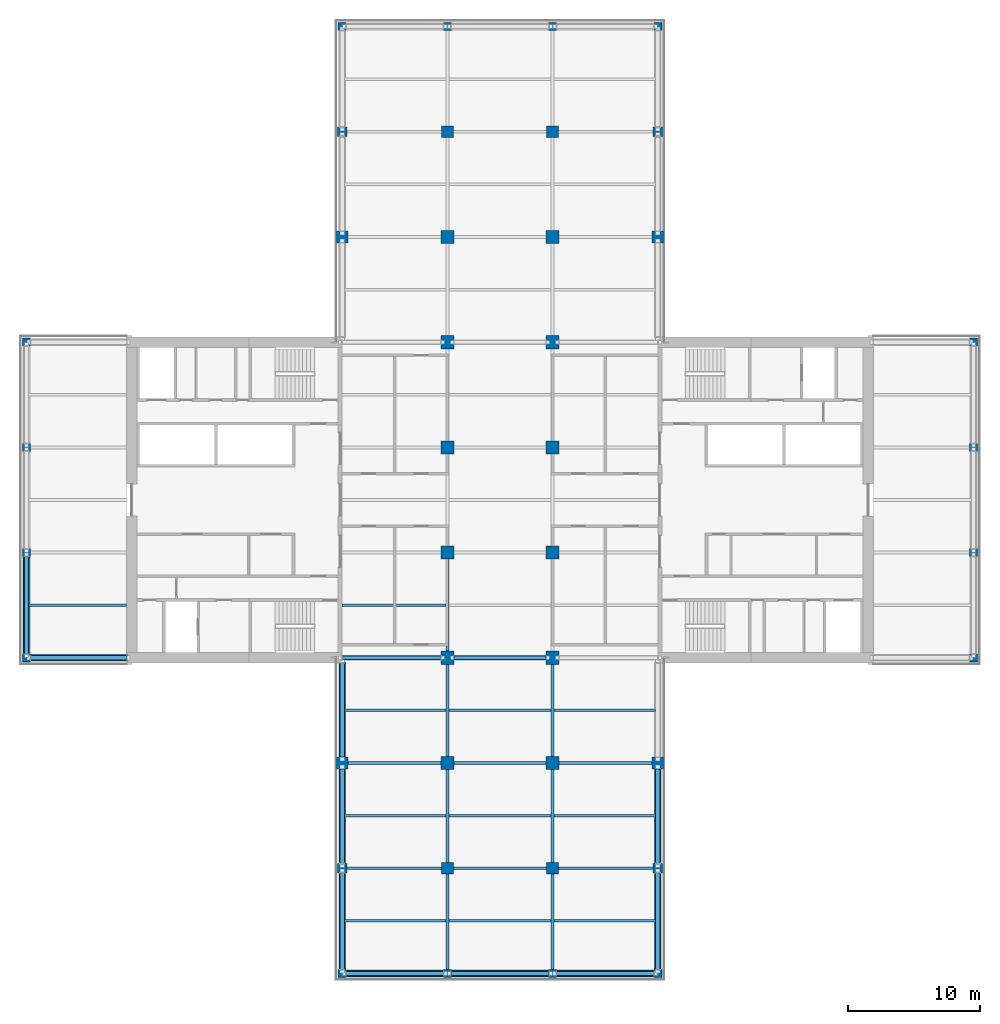
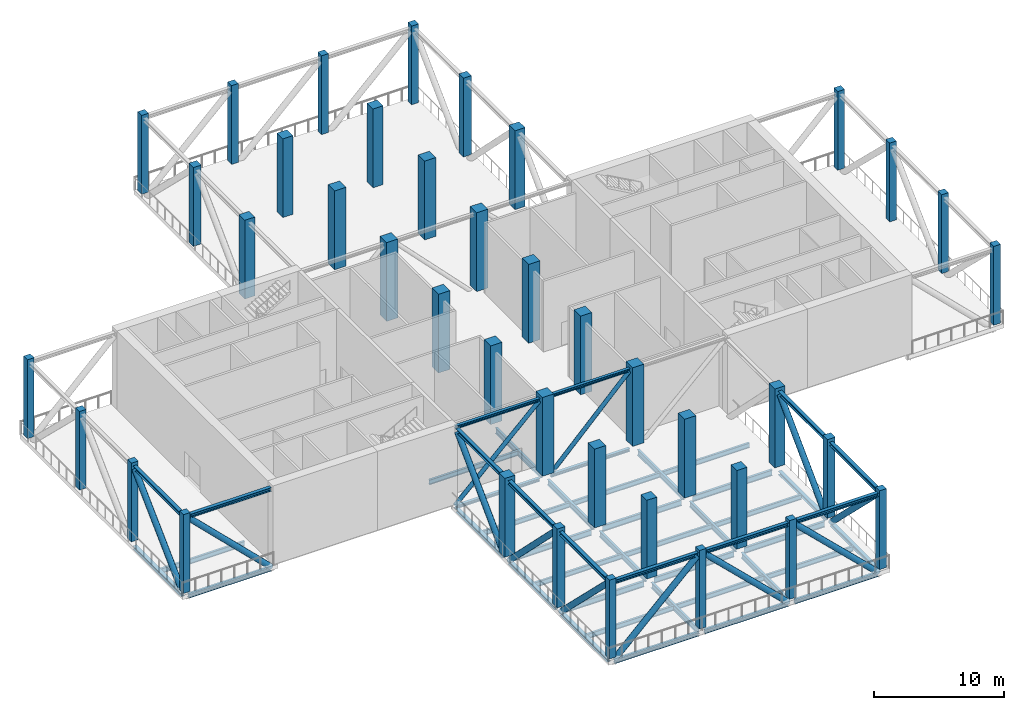
# One storey, part 1 of 18: 40 columns, 36 members, 24 beams.
"""IFC4 building model written with IfcOpenShell, lengths in metres."""

import ifcopenshell
import ifcopenshell.guid

model = None  # the IFC model being written
_history = None  # IfcOwnerHistory: only IFC2X3 demands one
_inside = {}  # id of a spatial element -> (the spatial element, [elements in it])
_under = {}  # id of a project, library or spatial element -> (it, [spatial elements below it])
_declared = {}  # id of a project -> (the project, [libraries it declares])
_typed = {}  # id of a type object -> (the type object, [elements of that type])
_made_of = {}  # id of a material, layer set ... -> (it, [elements and type objects made of it])


def new_model(schema):
    """Start an empty IFC model of exactly this schema.

    Asked for "IFC4X3", IfcOpenShell would pick the latest addendum, in which some entities
    have other attributes; the version numbers below select the first issue.
    IFC2X3 requires an IfcOwnerHistory on every rooted entity: one is made here for all.
    """
    global model, _history
    if schema == "IFC4X3":
        model = ifcopenshell.file(schema_version=(4, 3, 0, 0))
    else:
        model = ifcopenshell.file(schema=schema)
    _inside.clear()
    _under.clear()
    _declared.clear()
    _typed.clear()
    _made_of.clear()
    _history = None
    if model.schema == "IFC2X3":
        org = make("IfcOrganization", Name="unknown")
        user = make(
            "IfcPersonAndOrganization",
            ThePerson=make("IfcPerson", FamilyName="unknown"),
            TheOrganization=org,
        )
        app = make(
            "IfcApplication",
            ApplicationDeveloper=org,
            Version="unknown",
            ApplicationFullName="unknown",
            ApplicationIdentifier="unknown",
        )
        _history = make(
            "IfcOwnerHistory",
            OwningUser=user,
            OwningApplication=app,
            ChangeAction="ADDED",
            CreationDate=0,
        )
    return model


def make(cls, **values):
    """One entity of the class cls with the attributes given. An attribute that is None is left unset."""
    return model.create_entity(
        cls, **{name: value for name, value in values.items() if value is not None}
    )


def rooted(cls, **values):
    """An entity with a GlobalId (a new one), such as an element, a storey or a relation."""
    return make(cls, GlobalId=ifcopenshell.guid.new(), OwnerHistory=_history, **values)


def si_unit(unit_type, name, prefix=None):
    """IfcSIUnit, for example si_unit("LENGTHUNIT", "METRE", prefix="MILLI")."""
    return make("IfcSIUnit", UnitType=unit_type, Prefix=prefix, Name=name)


def assignment(units):
    """IfcUnitAssignment: the units of a project."""
    return None if units is None else make("IfcUnitAssignment", Units=units)


def point(xyz):
    """IfcCartesianPoint."""
    return None if xyz is None else make("IfcCartesianPoint", Coordinates=xyz)


def direction(xyz):
    """IfcDirection."""
    return None if xyz is None else make("IfcDirection", DirectionRatios=xyz)


def frame(location, z_axis=None, x_axis=None):
    """IfcAxis2Placement3D, a coordinate frame: its origin and axes. An axis left out is left unset."""
    return make(
        "IfcAxis2Placement3D",
        Location=point(location),
        Axis=direction(z_axis),
        RefDirection=direction(x_axis),
    )


def frame_2d(location, x_axis=None):
    """IfcAxis2Placement2D, a coordinate frame in the plane: its origin and x axis."""
    return make(
        "IfcAxis2Placement2D", Location=point(location), RefDirection=direction(x_axis)
    )


def origin():
    """The frame at (0, 0, 0) with its axes left unset."""
    return frame((0.0, 0.0, 0.0))


def origin_2d():
    """The frame at (0, 0) in the plane with its x axis left unset."""
    return frame_2d((0.0, 0.0))


def place(relative_to, where):
    """IfcLocalPlacement: puts the frame where relative to a parent placement (None: the world)."""
    return make(
        "IfcLocalPlacement", PlacementRelTo=relative_to, RelativePlacement=where
    )


def context(
    kind, dimensions, precision=None, world=None, true_north=None, identifier=None
):
    """IfcGeometricRepresentationContext, for example the 3D "Model" context."""
    return make(
        "IfcGeometricRepresentationContext",
        ContextIdentifier=identifier,
        ContextType=kind,
        CoordinateSpaceDimension=dimensions,
        Precision=precision,
        WorldCoordinateSystem=world,
        TrueNorth=true_north,
    )


def subcontext(parent, identifier, kind, view, scale=None):
    """IfcGeometricRepresentationSubContext, for example "Body" below "Model"."""
    return make(
        "IfcGeometricRepresentationSubContext",
        ContextIdentifier=identifier,
        ContextType=kind,
        ParentContext=parent,
        TargetScale=scale,
        TargetView=view,
    )


def project(units=None, contexts=None):
    """IfcProject with its units and contexts."""
    return rooted(
        "IfcProject",
        Name="project",
        RepresentationContexts=contexts,
        UnitsInContext=assignment(units),
    )


def spatial(cls, under=None, at=None, **own):
    """A site, building, storey or space (cls), placed at a placement, below another one or the project."""
    s = rooted(cls, ObjectPlacement=at, **own)
    if under is not None:
        _under.setdefault(under.id(), (under, []))[1].append(s)
    return s


def profile(cls, at=None, kind="AREA", **sizes):
    """A parametric profile (cls). Its sizes go by their IFC names, for example OverallWidth=200.0."""
    return make(cls, ProfileType=kind, Position=at, **sizes)


def rectangle(**sizes):
    """IfcRectangleProfileDef."""
    return profile("IfcRectangleProfileDef", **sizes)


def hollow_circle(**sizes):
    """IfcCircleHollowProfileDef."""
    return profile("IfcCircleHollowProfileDef", **sizes)


def i_section(**sizes):
    """IfcIShapeProfileDef."""
    return profile("IfcIShapeProfileDef", **sizes)


def extrude(swept, where, along, depth):
    """IfcExtrudedAreaSolid: the profile swept, set in the frame where, extruded along a direction by depth."""
    return make(
        "IfcExtrudedAreaSolid",
        SweptArea=swept,
        Position=where,
        ExtrudedDirection=direction(along),
        Depth=depth,
    )


def shape(context_of_items, identifier, shape_type, items):
    """IfcShapeRepresentation: the items that make up one representation, for example the "Body"."""
    return make(
        "IfcShapeRepresentation",
        ContextOfItems=context_of_items,
        RepresentationIdentifier=identifier,
        RepresentationType=shape_type,
        Items=items,
    )


def material(Name=None, Category=None):
    """IfcMaterial."""
    return make("IfcMaterial", Name=Name, Category=Category)


def material_profile(
    of_material, cross_section, Name=None, Category=None, Priority=None
):
    """IfcMaterialProfile: a cross section and its material."""
    return make(
        "IfcMaterialProfile",
        Name=Name,
        Material=of_material,
        Profile=cross_section,
        Priority=Priority,
        Category=Category,
    )


def profile_set(profiles, Name=None, composite=None):
    """IfcMaterialProfileSet."""
    return make(
        "IfcMaterialProfileSet",
        Name=Name,
        MaterialProfiles=profiles,
        CompositeProfile=composite,
    )


def made_of(thing, what):
    """Note that an element or type object is made of a material, layer set ...; save() writes the relation."""
    if what is not None:
        _made_of.setdefault(what.id(), (what, []))[1].append(thing)
    return thing


def type_object(cls, material=None, **own):
    """A type object (cls), such as IfcWallType, which elements share."""
    return made_of(rooted(cls, **own), material)


def element(
    cls,
    number,
    at=None,
    inside=None,
    cuts=None,
    type_object=None,
    material=None,
    context=None,
    identifier="Body",
    shape_type=None,
    held_by="IfcProductDefinitionShape",
    body=None,
    shapes=None,
    **own,
):
    """One element of the class cls, such as IfcWall. Its Tag is "e" and its number.

    at: its placement. inside: the storey or other place that contains it. cuts: it is an
    opening in that element (IfcRelVoidsElement). A single representation is given by context,
    identifier, shape_type and body (its items); several are given by shapes. held_by: the class
    of the entity that holds the representations. save() writes the other relations.
    """
    e = rooted(cls, Tag="e%d" % number, ObjectPlacement=at, **own)
    if body is not None:
        shapes = [shape(context, identifier, shape_type, body)]
    if shapes is not None:
        e.Representation = make(held_by, Representations=shapes)
    if inside is not None:
        _inside.setdefault(inside.id(), (inside, []))[1].append(e)
    if cuts is not None:
        rooted(
            "IfcRelVoidsElement", RelatingBuildingElement=cuts, RelatedOpeningElement=e
        )
    if type_object is not None:
        _typed.setdefault(type_object.id(), (type_object, []))[1].append(e)
    return made_of(e, material)


def aggregate(whole, parts):
    """IfcRelAggregates: a whole, such as a stair, and the parts it consists of."""
    return rooted("IfcRelAggregates", RelatingObject=whole, RelatedObjects=parts)


def save(model, path):
    """Write the relations noted so far, then the file.

    IfcRelAggregates (storeys below a building ...), IfcRelContainedInSpatialStructure (elements
    in a storey), IfcRelDefinesByType, IfcRelAssociatesMaterial and IfcRelDeclares: one each for
    every whole, place, type object, material and project.
    """
    for whole, parts in _under.values():
        aggregate(whole, parts)
    for where, things in _inside.values():
        rooted(
            "IfcRelContainedInSpatialStructure",
            RelatedElements=things,
            RelatingStructure=where,
        )
    for kind, things in _typed.values():
        rooted("IfcRelDefinesByType", RelatedObjects=things, RelatingType=kind)
    for what, things in _made_of.values():
        rooted("IfcRelAssociatesMaterial", RelatedObjects=things, RelatingMaterial=what)
    for by, libraries in _declared.values():
        rooted("IfcRelDeclares", RelatingContext=by, RelatedDefinitions=libraries)
    model.write(path)


model = new_model("IFC4")

# Units and contexts
model_context = context("Model", 3, precision=1e-05, world=origin(), true_north=direction((0.0, 1.0)))
body_context = subcontext(model_context, "Body", "Model", "MODEL_VIEW")
ifc_project = project(units=[si_unit("LENGTHUNIT", "METRE"), si_unit("AREAUNIT", "SQUARE_METRE"), si_unit("VOLUMEUNIT", "CUBIC_METRE"), si_unit("PLANEANGLEUNIT", "RADIAN"), si_unit("MASSUNIT", "GRAM", prefix="KILO")], contexts=[model_context])

# Site, building, storey
site_placement = place(None, origin())
site = spatial("IfcSite", under=ifc_project, at=site_placement, CompositionType="ELEMENT")
building_placement = place(site_placement, origin())
building = spatial("IfcBuilding", under=site, at=building_placement, Name="Crosswind Convention Tower", CompositionType="ELEMENT")
storey_placement = place(building_placement, frame((0.0, 0.0, 105.300048828125)))
storey = spatial("IfcBuildingStorey", under=building, at=storey_placement, Name="L21", CompositionType="ELEMENT", Elevation=105.300048828125)

# Columns
ifc_material_1 = material(Name="Concrete C70/85", Category="concrete")
ifc_material_profile_1 = material_profile(ifc_material_1, rectangle(XDim=1.0, YDim=1.0, at=origin_2d()), Name="RC 1000X1000")
ifc_profile_set_1 = profile_set([ifc_material_profile_1], Name="Concrete C70/85")
column_type_1 = type_object("IfcColumnType", Name="Column RC 1000X1000", PredefinedType="COLUMN", material=ifc_profile_set_1)
for number, where, z_axis, x_axis, name in (
    (1, (121.0, 80.0, 0.0), (0.0, 0.0, 1.0), (1.0, 0.0, 0.0), "C12 L21 6/D"),
    (2, (121.0, 88.0, 0.0), (0.0, 0.0, 1.0), (1.0, 0.0, 0.0), "C12 L21 6/E"),
    (3, (121.0, 96.0, 0.0), (0.0, 0.0, 1.0), (1.0, 0.0, 0.0), "C12 L21 6/F"),
    (4, (121.0, 104.0, 0.0), (0.0, 0.0, 1.0), (1.0, 0.0, 0.0), "C12 L21 6/G"),
    (5, (121.0, 112.0, 0.0), (0.0, 0.0, 1.0), (1.0, 0.0, 0.0), "C12 L21 6/H"),
    (6, (121.0, 120.0, 0.0), (0.0, 0.0, 1.0), (1.0, 0.0, 0.0), "C12 L21 6/I"),
    (7, (129.0, 80.0, 0.0), (0.0, 0.0, 1.0), (1.0, 0.0, 0.0), "C12 L21 7/D"),
    (8, (129.0, 88.0, 0.0), (0.0, 0.0, 1.0), (1.0, 0.0, 0.0), "C12 L21 7/E"),
    (9, (129.0, 96.0, 0.0), (0.0, 0.0, 1.0), (1.0, 0.0, 0.0), "C12 L21 7/F"),
    (10, (129.0, 104.0, 0.0), (0.0, 0.0, 1.0), (1.0, 0.0, 0.0), "C12 L21 7/G"),
    (11, (129.0, 112.0, 0.0), (0.0, 0.0, 1.0), (1.0, 0.0, 0.0), "C12 L21 7/H"),
    (12, (129.0, 120.0, 0.0), (0.0, 0.0, 1.0), (1.0, 0.0, 0.0), "C12 L21 7/I"),
):
    element("IfcColumn", number, at=place(storey_placement, frame(where, z_axis=z_axis, x_axis=x_axis)), inside=storey, type_object=column_type_1, Name=name, PredefinedType="COLUMN", context=body_context, shape_type="SweptSolid", body=[
        extrude(rectangle(XDim=1.0, YDim=1.0, at=origin_2d()), origin(), (0.0, 0.0, 1.0), 7.39990234375),
    ])
ifc_material_2 = material(Name="Concrete C60/75", Category="concrete")
ifc_material_profile_2 = material_profile(ifc_material_2, rectangle(XDim=0.60009765625, YDim=0.60009765625, at=origin_2d()), Name="RC 600X600")
ifc_profile_set_2 = profile_set([ifc_material_profile_2], Name="Concrete C60/75")
column_type_2 = type_object("IfcColumnType", Name="Column RC 600X600", PredefinedType="COLUMN", material=ifc_profile_set_2)
for number, where, z_axis, x_axis, name in (
    (13, (89.0, 88.0, 0.0), (0.0, 0.0, 1.0), (1.0, 0.0, 0.0), "C16 L21 2/E"),
    (14, (89.0, 96.0, 0.0), (0.0, 0.0, 1.0), (1.0, 0.0, 0.0), "C16 L21 2/F"),
    (15, (89.0, 104.0, 0.0), (0.0, 0.0, 1.0), (1.0, 0.0, 0.0), "C16 L21 2/G"),
    (16, (89.0, 112.0, 0.0), (0.0, 0.0, 1.0), (1.0, 0.0, 0.0), "C16 L21 2/H"),
    (17, (113.0, 64.0, 0.0), (0.0, 0.0, 1.0), (1.0, 0.0, 0.0), "C16 L21 5/B"),
    (18, (113.0, 136.0, 0.0), (0.0, 0.0, 1.0), (1.0, 0.0, 0.0), "C16 L21 5/K"),
    (19, (121.0, 64.0, 0.0), (0.0, 0.0, 1.0), (1.0, 0.0, 0.0), "C16 L21 6/B"),
    (20, (121.0, 136.0, 0.0), (0.0, 0.0, 1.0), (1.0, 0.0, 0.0), "C16 L21 6/K"),
    (21, (129.0, 64.0, 0.0), (0.0, 0.0, 1.0), (1.0, 0.0, 0.0), "C16 L21 7/B"),
    (22, (129.0, 136.0, 0.0), (0.0, 0.0, 1.0), (1.0, 0.0, 0.0), "C16 L21 7/K"),
    (23, (137.0, 64.0, 0.0), (0.0, 0.0, 1.0), (1.0, 0.0, 0.0), "C16 L21 8/B"),
    (24, (137.0, 136.0, 0.0), (0.0, 0.0, 1.0), (1.0, 0.0, 0.0), "C16 L21 8/K"),
    (25, (161.0, 88.0, 0.0), (0.0, 0.0, 1.0), (1.0, 0.0, 0.0), "C16 L21 11/E"),
    (26, (161.0, 96.0, 0.0), (0.0, 0.0, 1.0), (1.0, 0.0, 0.0), "C16 L21 11/F"),
    (27, (161.0, 104.0, 0.0), (0.0, 0.0, 1.0), (1.0, 0.0, 0.0), "C16 L21 11/G"),
    (28, (161.0, 112.0, 0.0), (0.0, 0.0, 1.0), (1.0, 0.0, 0.0), "C16 L21 11/H"),
):
    element("IfcColumn", number, at=place(storey_placement, frame(where, z_axis=z_axis, x_axis=x_axis)), inside=storey, type_object=column_type_2, Name=name, PredefinedType="COLUMN", context=body_context, shape_type="SweptSolid", body=[
        extrude(rectangle(XDim=0.60009765625, YDim=0.60009765625, at=origin_2d()), origin(), (0.0, 0.0, 1.0), 7.39990234375),
    ])
ifc_material_profile_3 = material_profile(ifc_material_2, rectangle(XDim=0.699951171875, YDim=0.699951171875, at=origin_2d()), Name="RC 700X700")
ifc_profile_set_3 = profile_set([ifc_material_profile_3], Name="Concrete C60/75")
column_type_3 = type_object("IfcColumnType", Name="Column RC 700X700", PredefinedType="COLUMN", material=ifc_profile_set_3)
for number, where, z_axis, x_axis, name in (
    (29, (113.0, 72.0, 0.0), (0.0, 0.0, 1.0), (1.0, 0.0, 0.0), "C15 L21 5/C"),
    (30, (113.0, 128.0, 0.0), (0.0, 0.0, 1.0), (1.0, 0.0, 0.0), "C15 L21 5/J"),
    (31, (137.0, 72.0, 0.0), (0.0, 0.0, 1.0), (1.0, 0.0, 0.0), "C15 L21 8/C"),
    (32, (137.0, 128.0, 0.0), (0.0, 0.0, 1.0), (1.0, 0.0, 0.0), "C15 L21 8/J"),
):
    element("IfcColumn", number, at=place(storey_placement, frame(where, z_axis=z_axis, x_axis=x_axis)), inside=storey, type_object=column_type_3, Name=name, PredefinedType="COLUMN", context=body_context, shape_type="SweptSolid", body=[
        extrude(rectangle(XDim=0.699951171875, YDim=0.699951171875, at=origin_2d()), origin(), (0.0, 0.0, 1.0), 7.39990234375),
    ])
ifc_material_profile_4 = material_profile(ifc_material_2, rectangle(XDim=0.89990234375, YDim=0.89990234375, at=origin_2d()), Name="RC 900X900")
ifc_profile_set_4 = profile_set([ifc_material_profile_4], Name="Concrete C60/75")
column_type_4 = type_object("IfcColumnType", Name="Column RC 900X900", PredefinedType="COLUMN", material=ifc_profile_set_4)
for number, where, z_axis, x_axis, name in (
    (33, (113.0, 80.0, 0.0), (0.0, 0.0, 1.0), (1.0, 0.0, 0.0), "C13 L21 5/D"),
    (34, (113.0, 120.0, 0.0), (0.0, 0.0, 1.0), (1.0, 0.0, 0.0), "C13 L21 5/I"),
    (35, (121.0, 72.0, 0.0), (0.0, 0.0, 1.0), (1.0, 0.0, 0.0), "C13 L21 6/C"),
    (36, (121.0, 128.0, 0.0), (0.0, 0.0, 1.0), (1.0, 0.0, 0.0), "C13 L21 6/J"),
    (37, (129.0, 72.0, 0.0), (0.0, 0.0, 1.0), (1.0, 0.0, 0.0), "C13 L21 7/C"),
    (38, (129.0, 128.0, 0.0), (0.0, 0.0, 1.0), (1.0, 0.0, 0.0), "C13 L21 7/J"),
    (39, (137.0, 80.0, 0.0), (0.0, 0.0, 1.0), (1.0, 0.0, 0.0), "C13 L21 8/D"),
    (40, (137.0, 120.0, 0.0), (0.0, 0.0, 1.0), (1.0, 0.0, 0.0), "C13 L21 8/I"),
):
    element("IfcColumn", number, at=place(storey_placement, frame(where, z_axis=z_axis, x_axis=x_axis)), inside=storey, type_object=column_type_4, Name=name, PredefinedType="COLUMN", context=body_context, shape_type="SweptSolid", body=[
        extrude(rectangle(XDim=0.89990234375, YDim=0.89990234375, at=origin_2d()), origin(), (0.0, 0.0, 1.0), 7.39990234375),
    ])

# Beams
ifc_material_3 = material(Name="Steel S355", Category="steel")
ifc_material_profile_5 = material_profile(ifc_material_3, i_section(OverallWidth=0.210693359375, OverallDepth=0.53955078125, WebThickness=0.01171875, FlangeThickness=0.018798828125, FilletRadius=0.0126953125, at=origin_2d()), Name="UB 533x210x109")
ifc_profile_set_5 = profile_set([ifc_material_profile_5], Name="Steel S355")
beam_type_1 = type_object("IfcBeamType", Name="Girder UB 533x210x109", PredefinedType="BEAM", material=ifc_profile_set_5)
beam_1_placement = place(storey_placement, frame((113.39990234375, 72.0, -0.669677734375), z_axis=(1.0, 0.0, 0.0), x_axis=(0.0, 1.0, 0.0)))
element("IfcBeam", 41, at=beam_1_placement, inside=storey, type_object=beam_type_1, Name="B5 L21 girder 1", PredefinedType="BEAM", context=body_context, shape_type="SweptSolid", body=[
    extrude(i_section(OverallWidth=0.210693359375, OverallDepth=0.53955078125, WebThickness=0.01171875, FlangeThickness=0.018798828125, FilletRadius=0.0126953125, at=origin_2d()), origin(), (0.0, 0.0, 1.0), 7.150146484375),
])
beam_2_placement = place(storey_placement, frame((113.449951171875, 80.0, -0.669677734375), z_axis=(1.0, 0.0, 0.0), x_axis=(0.0, 1.0, 0.0)))
element("IfcBeam", 42, at=beam_2_placement, inside=storey, type_object=beam_type_1, Name="B5 L21 girder 3", PredefinedType="BEAM", context=body_context, shape_type="SweptSolid", body=[
    extrude(i_section(OverallWidth=0.210693359375, OverallDepth=0.53955078125, WebThickness=0.01171875, FlangeThickness=0.018798828125, FilletRadius=0.0126953125, at=origin_2d()), origin(), (0.0, 0.0, 1.0), 7.050048828125),
])
beam_3_placement = place(storey_placement, frame((121.0, 64.300048828125, -0.669677734375), z_axis=(0.0, 1.0, 0.0), x_axis=(-1.0, 0.0, 0.0)))
element("IfcBeam", 43, at=beam_3_placement, inside=storey, type_object=beam_type_1, Name="B5 L21 girder 5", PredefinedType="BEAM", context=body_context, shape_type="SweptSolid", body=[
    extrude(i_section(OverallWidth=0.210693359375, OverallDepth=0.53955078125, WebThickness=0.01171875, FlangeThickness=0.018798828125, FilletRadius=0.0126953125, at=origin_2d()), origin(), (0.0, 0.0, 1.0), 7.25),
])
beam_4_placement = place(storey_placement, frame((121.0, 72.449951171875, -0.669677734375), z_axis=(0.0, 1.0, 0.0), x_axis=(-1.0, 0.0, 0.0)))
element("IfcBeam", 44, at=beam_4_placement, inside=storey, type_object=beam_type_1, Name="B5 L21 girder 6", PredefinedType="BEAM", context=body_context, shape_type="SweptSolid", body=[
    extrude(i_section(OverallWidth=0.210693359375, OverallDepth=0.53955078125, WebThickness=0.01171875, FlangeThickness=0.018798828125, FilletRadius=0.0126953125, at=origin_2d()), origin(), (0.0, 0.0, 1.0), 7.050048828125),
])
for number, where, z_axis, x_axis, name in (
    (45, (121.0, 80.5, -0.669677734375), (0.0, 1.0, 0.0), (-1.0, 0.0, 0.0), "B5 L21 girder 7"),
    (46, (121.0, 88.5, -0.669677734375), (0.0, 1.0, 0.0), (-1.0, 0.0, 0.0), "B5 L21 girder 8"),
):
    element("IfcBeam", number, at=place(storey_placement, frame(where, z_axis=z_axis, x_axis=x_axis)), inside=storey, type_object=beam_type_1, Name=name, PredefinedType="BEAM", context=body_context, shape_type="SweptSolid", body=[
        extrude(i_section(OverallWidth=0.210693359375, OverallDepth=0.53955078125, WebThickness=0.01171875, FlangeThickness=0.018798828125, FilletRadius=0.0126953125, at=origin_2d()), origin(), (0.0, 0.0, 1.0), 7.0),
    ])
beam_5_placement = place(storey_placement, frame((121.449951171875, 72.0, -0.669677734375), z_axis=(1.0, 0.0, 0.0), x_axis=(0.0, 1.0, 0.0)))
element("IfcBeam", 47, at=beam_5_placement, inside=storey, type_object=beam_type_1, Name="B5 L21 girder 14", PredefinedType="BEAM", context=body_context, shape_type="SweptSolid", body=[
    extrude(i_section(OverallWidth=0.210693359375, OverallDepth=0.53955078125, WebThickness=0.01171875, FlangeThickness=0.018798828125, FilletRadius=0.0126953125, at=origin_2d()), origin(), (0.0, 0.0, 1.0), 7.10009765625),
])
beam_6_placement = place(storey_placement, frame((121.5, 80.0, -0.669677734375), z_axis=(1.0, 0.0, 0.0), x_axis=(0.0, 1.0, 0.0)))
element("IfcBeam", 48, at=beam_6_placement, inside=storey, type_object=beam_type_1, Name="B5 L21 girder 16", PredefinedType="BEAM", context=body_context, shape_type="SweptSolid", body=[
    extrude(i_section(OverallWidth=0.210693359375, OverallDepth=0.53955078125, WebThickness=0.01171875, FlangeThickness=0.018798828125, FilletRadius=0.0126953125, at=origin_2d()), origin(), (0.0, 0.0, 1.0), 7.0),
])
beam_7_placement = place(storey_placement, frame((129.0, 64.300048828125, -0.669677734375), z_axis=(0.0, 1.0, 0.0), x_axis=(-1.0, 0.0, 0.0)))
element("IfcBeam", 49, at=beam_7_placement, inside=storey, type_object=beam_type_1, Name="B5 L21 girder 20", PredefinedType="BEAM", context=body_context, shape_type="SweptSolid", body=[
    extrude(i_section(OverallWidth=0.210693359375, OverallDepth=0.53955078125, WebThickness=0.01171875, FlangeThickness=0.018798828125, FilletRadius=0.0126953125, at=origin_2d()), origin(), (0.0, 0.0, 1.0), 7.25),
])
beam_8_placement = place(storey_placement, frame((129.0, 72.449951171875, -0.669677734375), z_axis=(0.0, 1.0, 0.0), x_axis=(-1.0, 0.0, 0.0)))
element("IfcBeam", 50, at=beam_8_placement, inside=storey, type_object=beam_type_1, Name="B5 L21 girder 21", PredefinedType="BEAM", context=body_context, shape_type="SweptSolid", body=[
    extrude(i_section(OverallWidth=0.210693359375, OverallDepth=0.53955078125, WebThickness=0.01171875, FlangeThickness=0.018798828125, FilletRadius=0.0126953125, at=origin_2d()), origin(), (0.0, 0.0, 1.0), 7.050048828125),
])
beam_9_placement = place(storey_placement, frame((129.0, 80.5, -0.669677734375), z_axis=(0.0, 1.0, 0.0), x_axis=(-1.0, 0.0, 0.0)))
element("IfcBeam", 51, at=beam_9_placement, inside=storey, type_object=beam_type_1, Name="B5 L21 girder 22", PredefinedType="BEAM", context=body_context, shape_type="SweptSolid", body=[
    extrude(i_section(OverallWidth=0.210693359375, OverallDepth=0.53955078125, WebThickness=0.01171875, FlangeThickness=0.018798828125, FilletRadius=0.0126953125, at=origin_2d()), origin(), (0.0, 0.0, 1.0), 7.0),
])
beam_10_placement = place(storey_placement, frame((129.449951171875, 72.0, -0.669677734375), z_axis=(1.0, 0.0, 0.0), x_axis=(0.0, 1.0, 0.0)))
element("IfcBeam", 52, at=beam_10_placement, inside=storey, type_object=beam_type_1, Name="B5 L21 girder 29", PredefinedType="BEAM", context=body_context, shape_type="SweptSolid", body=[
    extrude(i_section(OverallWidth=0.210693359375, OverallDepth=0.53955078125, WebThickness=0.01171875, FlangeThickness=0.018798828125, FilletRadius=0.0126953125, at=origin_2d()), origin(), (0.0, 0.0, 1.0), 7.150146484375),
])
beam_11_placement = place(storey_placement, frame((129.5, 80.0, -0.669677734375), z_axis=(1.0, 0.0, 0.0), x_axis=(0.0, 1.0, 0.0)))
element("IfcBeam", 53, at=beam_11_placement, inside=storey, type_object=beam_type_1, Name="B5 L21 girder 31", PredefinedType="BEAM", context=body_context, shape_type="SweptSolid", body=[
    extrude(i_section(OverallWidth=0.210693359375, OverallDepth=0.53955078125, WebThickness=0.01171875, FlangeThickness=0.018798828125, FilletRadius=0.0126953125, at=origin_2d()), origin(), (0.0, 0.0, 1.0), 7.050048828125),
])
ifc_material_profile_6 = material_profile(ifc_material_3, i_section(OverallWidth=0.1904296875, OverallDepth=0.457275390625, WebThickness=0.009033203125, FlangeThickness=0.014404296875, FilletRadius=0.01025390625, at=origin_2d()), Name="UB 457x191x75")
ifc_profile_set_6 = profile_set([ifc_material_profile_6], Name="Steel S355")
beam_type_2 = type_object("IfcBeamType", Name="Secondary beam UB 457x191x75", PredefinedType="JOIST", material=ifc_profile_set_6)
beam_12_placement = place(storey_placement, frame((89.156982421875, 92.0, -0.628662109375), z_axis=(1.0, 0.0, 0.0), x_axis=(0.0, 1.0, 0.0)))
element("IfcBeam", 54, at=beam_12_placement, inside=storey, type_object=beam_type_2, Name="B12 L21 secondary beam 1", PredefinedType="JOIST", context=body_context, shape_type="SweptSolid", body=[
    extrude(i_section(OverallWidth=0.1904296875, OverallDepth=0.457275390625, WebThickness=0.009033203125, FlangeThickness=0.014404296875, FilletRadius=0.01025390625, at=origin_2d()), origin(), (0.0, 0.0, 1.0), 7.443115234375),
])
beam_13_placement = place(storey_placement, frame((113.0, 92.0, -0.628662109375), z_axis=(1.0, 0.0, 0.0), x_axis=(0.0, 1.0, 0.0)))
element("IfcBeam", 55, at=beam_13_placement, inside=storey, type_object=beam_type_2, Name="B12 L21 secondary beam 4", PredefinedType="JOIST", context=body_context, shape_type="SweptSolid", body=[
    extrude(i_section(OverallWidth=0.1904296875, OverallDepth=0.457275390625, WebThickness=0.009033203125, FlangeThickness=0.014404296875, FilletRadius=0.01025390625, at=origin_2d()), origin(), (0.0, 0.0, 1.0), 7.89453125),
])
for number, where, z_axis, x_axis, name in (
    (56, (113.156982421875, 68.0, -0.628662109375), (1.0, 0.0, 0.0), (0.0, 1.0, 0.0), "B12 L21 secondary beam 7"),
    (57, (113.156982421875, 76.0, -0.628662109375), (1.0, 0.0, 0.0), (0.0, 1.0, 0.0), "B12 L21 secondary beam 8"),
    (58, (113.156982421875, 84.0, -0.628662109375), (1.0, 0.0, 0.0), (0.0, 1.0, 0.0), "B12 L21 secondary beam 9"),
):
    element("IfcBeam", number, at=place(storey_placement, frame(where, z_axis=z_axis, x_axis=x_axis)), inside=storey, type_object=beam_type_2, Name=name, PredefinedType="JOIST", context=body_context, shape_type="SweptSolid", body=[
        extrude(i_section(OverallWidth=0.1904296875, OverallDepth=0.457275390625, WebThickness=0.009033203125, FlangeThickness=0.014404296875, FilletRadius=0.01025390625, at=origin_2d()), origin(), (0.0, 0.0, 1.0), 7.737548828125),
    ])
for number, where, z_axis, x_axis, name in (
    (59, (121.10546875, 68.0, -0.628662109375), (1.0, 0.0, 0.0), (0.0, 1.0, 0.0), "B12 L21 secondary beam 13"),
    (60, (121.10546875, 76.0, -0.628662109375), (1.0, 0.0, 0.0), (0.0, 1.0, 0.0), "B12 L21 secondary beam 14"),
    (61, (121.10546875, 84.0, -0.628662109375), (1.0, 0.0, 0.0), (0.0, 1.0, 0.0), "B12 L21 secondary beam 15"),
):
    element("IfcBeam", number, at=place(storey_placement, frame(where, z_axis=z_axis, x_axis=x_axis)), inside=storey, type_object=beam_type_2, Name=name, PredefinedType="JOIST", context=body_context, shape_type="SweptSolid", body=[
        extrude(i_section(OverallWidth=0.1904296875, OverallDepth=0.457275390625, WebThickness=0.009033203125, FlangeThickness=0.014404296875, FilletRadius=0.01025390625, at=origin_2d()), origin(), (0.0, 0.0, 1.0), 7.7890625),
    ])
for number, where, z_axis, x_axis, name in (
    (62, (129.10546875, 68.0, -0.628662109375), (1.0, 0.0, 0.0), (0.0, 1.0, 0.0), "B12 L21 secondary beam 22"),
    (63, (129.10546875, 76.0, -0.628662109375), (1.0, 0.0, 0.0), (0.0, 1.0, 0.0), "B12 L21 secondary beam 23"),
    (64, (129.10546875, 84.0, -0.628662109375), (1.0, 0.0, 0.0), (0.0, 1.0, 0.0), "B12 L21 secondary beam 24"),
):
    element("IfcBeam", number, at=place(storey_placement, frame(where, z_axis=z_axis, x_axis=x_axis)), inside=storey, type_object=beam_type_2, Name=name, PredefinedType="JOIST", context=body_context, shape_type="SweptSolid", body=[
        extrude(i_section(OverallWidth=0.1904296875, OverallDepth=0.457275390625, WebThickness=0.009033203125, FlangeThickness=0.014404296875, FilletRadius=0.01025390625, at=origin_2d()), origin(), (0.0, 0.0, 1.0), 7.737548828125),
    ])

# Members
ifc_material_profile_7 = material_profile(ifc_material_3, i_section(OverallWidth=0.264404296875, OverallDepth=0.2890625, WebThickness=0.019287109375, FlangeThickness=0.03173828125, FilletRadius=0.0126953125, at=origin_2d()), Name="UC 254x254x167")
ifc_profile_set_7 = profile_set([ifc_material_profile_7], Name="Steel S355")
member_type_1 = type_object("IfcMemberType", Name="Truss chord UC 254x254x167", PredefinedType="CHORD", material=ifc_profile_set_7)
for number, where, z_axis, x_axis, name in (
    (65, (113.0, 88.0, -0.544677734375), (1.0, 0.0, 0.0), (0.0, 1.0, 0.0), "M3 L21 bottom chord 29"),
    (66, (113.0, 88.0, 6.955322265625), (1.0, 0.0, 0.0), (0.0, 1.0, 0.0), "M3 L21 top chord 29"),
):
    element("IfcMember", number, at=place(storey_placement, frame(where, z_axis=z_axis, x_axis=x_axis)), inside=storey, type_object=member_type_1, Name=name, PredefinedType="CHORD", context=body_context, shape_type="SweptSolid", body=[
        extrude(i_section(OverallWidth=0.264404296875, OverallDepth=0.2890625, WebThickness=0.019287109375, FlangeThickness=0.03173828125, FilletRadius=0.0126953125, at=origin_2d()), origin(), (0.0, 0.0, 1.0), 7.5),
    ])
for number, where, z_axis, x_axis, name in (
    (67, (121.5, 88.0, -0.544677734375), (1.0, 0.0, 0.0), (0.0, 1.0, 0.0), "M3 L21 bottom chord 31"),
    (68, (121.5, 88.0, 6.955322265625), (1.0, 0.0, 0.0), (0.0, 1.0, 0.0), "M3 L21 top chord 31"),
):
    element("IfcMember", number, at=place(storey_placement, frame(where, z_axis=z_axis, x_axis=x_axis)), inside=storey, type_object=member_type_1, Name=name, PredefinedType="CHORD", context=body_context, shape_type="SweptSolid", body=[
        extrude(i_section(OverallWidth=0.264404296875, OverallDepth=0.2890625, WebThickness=0.019287109375, FlangeThickness=0.03173828125, FilletRadius=0.0126953125, at=origin_2d()), origin(), (0.0, 0.0, 1.0), 7.0),
    ])
ifc_material_profile_8 = material_profile(ifc_material_3, i_section(OverallWidth=0.314208984375, OverallDepth=0.33984375, WebThickness=0.019287109375, FlangeThickness=0.031494140625, FilletRadius=0.01513671875, at=origin_2d()), Name="UC 305x305x198")
ifc_profile_set_8 = profile_set([ifc_material_profile_8], Name="Steel S355")
member_type_2 = type_object("IfcMemberType", Name="Truss chord UC 305x305x198", PredefinedType="CHORD", material=ifc_profile_set_8)
for number, where, z_axis, x_axis, name in (
    (69, (89.0, 88.300048828125, -0.570068359375), (0.0, 1.0, 0.0), (-1.0, 0.0, 0.0), "M1 L21 bottom chord 1"),
    (70, (89.0, 88.300048828125, 6.929931640625), (0.0, 1.0, 0.0), (-1.0, 0.0, 0.0), "M1 L21 top chord 1"),
):
    element("IfcMember", number, at=place(storey_placement, frame(where, z_axis=z_axis, x_axis=x_axis)), inside=storey, type_object=member_type_2, Name=name, PredefinedType="CHORD", context=body_context, shape_type="SweptSolid", body=[
        extrude(i_section(OverallWidth=0.314208984375, OverallDepth=0.33984375, WebThickness=0.019287109375, FlangeThickness=0.031494140625, FilletRadius=0.01513671875, at=origin_2d()), origin(), (0.0, 0.0, 1.0), 7.39990234375),
    ])
for number, where, z_axis, x_axis, name in (
    (71, (89.300048828125, 88.0, -0.570068359375), (1.0, 0.0, 0.0), (0.0, 1.0, 0.0), "M1 L21 bottom chord 2"),
    (72, (89.300048828125, 88.0, 6.929931640625), (1.0, 0.0, 0.0), (0.0, 1.0, 0.0), "M1 L21 top chord 2"),
    (73, (113.0, 64.300048828125, -0.570068359375), (0.0, 1.0, 0.0), (-1.0, 0.0, 0.0), "M1 L21 bottom chord 6"),
):
    element("IfcMember", number, at=place(storey_placement, frame(where, z_axis=z_axis, x_axis=x_axis)), inside=storey, type_object=member_type_2, Name=name, PredefinedType="CHORD", context=body_context, shape_type="SweptSolid", body=[
        extrude(i_section(OverallWidth=0.314208984375, OverallDepth=0.33984375, WebThickness=0.019287109375, FlangeThickness=0.031494140625, FilletRadius=0.01513671875, at=origin_2d()), origin(), (0.0, 0.0, 1.0), 7.300048828125),
    ])
member_1_placement = place(storey_placement, frame((113.0, 64.300048828125, 6.929931640625), z_axis=(0.0, 1.0, 0.0), x_axis=(-1.0, 0.0, 0.0)))
element("IfcMember", 74, at=member_1_placement, inside=storey, type_object=member_type_2, Name="M1 L21 top chord 6", PredefinedType="CHORD", context=body_context, shape_type="SweptSolid", body=[
    extrude(i_section(OverallWidth=0.314208984375, OverallDepth=0.33984375, WebThickness=0.019287109375, FlangeThickness=0.031494140625, FilletRadius=0.01513671875, at=origin_2d()), origin(), (0.0, 0.0, 1.0), 7.349853515625),
])
for number, where, z_axis, x_axis, name in (
    (75, (113.300048828125, 64.0, -0.570068359375), (1.0, 0.0, 0.0), (0.0, 1.0, 0.0), "M1 L21 bottom chord 7"),
    (76, (113.300048828125, 64.0, 6.929931640625), (1.0, 0.0, 0.0), (0.0, 1.0, 0.0), "M1 L21 top chord 7"),
):
    element("IfcMember", number, at=place(storey_placement, frame(where, z_axis=z_axis, x_axis=x_axis)), inside=storey, type_object=member_type_2, Name=name, PredefinedType="CHORD", context=body_context, shape_type="SweptSolid", body=[
        extrude(i_section(OverallWidth=0.314208984375, OverallDepth=0.33984375, WebThickness=0.019287109375, FlangeThickness=0.031494140625, FilletRadius=0.01513671875, at=origin_2d()), origin(), (0.0, 0.0, 1.0), 7.39990234375),
    ])
member_2_placement = place(storey_placement, frame((113.0, 72.39990234375, -0.570068359375), z_axis=(0.0, 1.0, 0.0), x_axis=(-1.0, 0.0, 0.0)))
element("IfcMember", 77, at=member_2_placement, inside=storey, type_object=member_type_2, Name="M1 L21 bottom chord 8", PredefinedType="CHORD", context=body_context, shape_type="SweptSolid", body=[
    extrude(i_section(OverallWidth=0.314208984375, OverallDepth=0.33984375, WebThickness=0.019287109375, FlangeThickness=0.031494140625, FilletRadius=0.01513671875, at=origin_2d()), origin(), (0.0, 0.0, 1.0), 7.150146484375),
])
member_3_placement = place(storey_placement, frame((113.0, 72.35009765625, 6.929931640625), z_axis=(0.0, 1.0, 0.0), x_axis=(-1.0, 0.0, 0.0)))
element("IfcMember", 78, at=member_3_placement, inside=storey, type_object=member_type_2, Name="M1 L21 top chord 8", PredefinedType="CHORD", context=body_context, shape_type="SweptSolid", body=[
    extrude(i_section(OverallWidth=0.314208984375, OverallDepth=0.33984375, WebThickness=0.019287109375, FlangeThickness=0.031494140625, FilletRadius=0.01513671875, at=origin_2d()), origin(), (0.0, 0.0, 1.0), 7.199951171875),
])
for number, where, z_axis, x_axis, name in (
    (79, (113.0, 80.449951171875, -0.570068359375), (0.0, 1.0, 0.0), (-1.0, 0.0, 0.0), "M1 L21 bottom chord 9"),
    (80, (113.0, 80.449951171875, 6.929931640625), (0.0, 1.0, 0.0), (-1.0, 0.0, 0.0), "M1 L21 top chord 9"),
):
    element("IfcMember", number, at=place(storey_placement, frame(where, z_axis=z_axis, x_axis=x_axis)), inside=storey, type_object=member_type_2, Name=name, PredefinedType="CHORD", context=body_context, shape_type="SweptSolid", body=[
        extrude(i_section(OverallWidth=0.314208984375, OverallDepth=0.33984375, WebThickness=0.019287109375, FlangeThickness=0.031494140625, FilletRadius=0.01513671875, at=origin_2d()), origin(), (0.0, 0.0, 1.0), 7.150146484375),
    ])
for number, where, z_axis, x_axis, name in (
    (81, (121.300048828125, 64.0, -0.570068359375), (1.0, 0.0, 0.0), (0.0, 1.0, 0.0), "M1 L21 bottom chord 14"),
    (82, (121.300048828125, 64.0, 6.929931640625), (1.0, 0.0, 0.0), (0.0, 1.0, 0.0), "M1 L21 top chord 14"),
    (83, (129.300048828125, 64.0, -0.570068359375), (1.0, 0.0, 0.0), (0.0, 1.0, 0.0), "M1 L21 bottom chord 16"),
    (84, (129.300048828125, 64.0, 6.929931640625), (1.0, 0.0, 0.0), (0.0, 1.0, 0.0), "M1 L21 top chord 16"),
):
    element("IfcMember", number, at=place(storey_placement, frame(where, z_axis=z_axis, x_axis=x_axis)), inside=storey, type_object=member_type_2, Name=name, PredefinedType="CHORD", context=body_context, shape_type="SweptSolid", body=[
        extrude(i_section(OverallWidth=0.314208984375, OverallDepth=0.33984375, WebThickness=0.019287109375, FlangeThickness=0.031494140625, FilletRadius=0.01513671875, at=origin_2d()), origin(), (0.0, 0.0, 1.0), 7.39990234375),
    ])
member_4_placement = place(storey_placement, frame((137.0, 64.300048828125, -0.570068359375), z_axis=(0.0, 1.0, 0.0), x_axis=(-1.0, 0.0, 0.0)))
element("IfcMember", 85, at=member_4_placement, inside=storey, type_object=member_type_2, Name="M1 L21 bottom chord 18", PredefinedType="CHORD", context=body_context, shape_type="SweptSolid", body=[
    extrude(i_section(OverallWidth=0.314208984375, OverallDepth=0.33984375, WebThickness=0.019287109375, FlangeThickness=0.031494140625, FilletRadius=0.01513671875, at=origin_2d()), origin(), (0.0, 0.0, 1.0), 7.300048828125),
])
member_5_placement = place(storey_placement, frame((137.0, 64.300048828125, 6.929931640625), z_axis=(0.0, 1.0, 0.0), x_axis=(-1.0, 0.0, 0.0)))
element("IfcMember", 86, at=member_5_placement, inside=storey, type_object=member_type_2, Name="M1 L21 top chord 18", PredefinedType="CHORD", context=body_context, shape_type="SweptSolid", body=[
    extrude(i_section(OverallWidth=0.314208984375, OverallDepth=0.33984375, WebThickness=0.019287109375, FlangeThickness=0.031494140625, FilletRadius=0.01513671875, at=origin_2d()), origin(), (0.0, 0.0, 1.0), 7.349853515625),
])
member_6_placement = place(storey_placement, frame((137.0, 72.39990234375, -0.570068359375), z_axis=(0.0, 1.0, 0.0), x_axis=(-1.0, 0.0, 0.0)))
element("IfcMember", 87, at=member_6_placement, inside=storey, type_object=member_type_2, Name="M1 L21 bottom chord 19", PredefinedType="CHORD", context=body_context, shape_type="SweptSolid", body=[
    extrude(i_section(OverallWidth=0.314208984375, OverallDepth=0.33984375, WebThickness=0.019287109375, FlangeThickness=0.031494140625, FilletRadius=0.01513671875, at=origin_2d()), origin(), (0.0, 0.0, 1.0), 7.150146484375),
])
member_7_placement = place(storey_placement, frame((137.0, 72.35009765625, 6.929931640625), z_axis=(0.0, 1.0, 0.0), x_axis=(-1.0, 0.0, 0.0)))
element("IfcMember", 88, at=member_7_placement, inside=storey, type_object=member_type_2, Name="M1 L21 top chord 19", PredefinedType="CHORD", context=body_context, shape_type="SweptSolid", body=[
    extrude(i_section(OverallWidth=0.314208984375, OverallDepth=0.33984375, WebThickness=0.019287109375, FlangeThickness=0.031494140625, FilletRadius=0.01513671875, at=origin_2d()), origin(), (0.0, 0.0, 1.0), 7.199951171875),
])
ifc_material_profile_9 = material_profile(ifc_material_3, hollow_circle(Radius=0.177734375, WallThickness=0.011962890625, at=origin_2d()), Name="CHS 355.6x12.0")
ifc_profile_set_9 = profile_set([ifc_material_profile_9], Name="Steel S355")
member_type_3 = type_object("IfcMemberType", Name="Truss diagonal CHS 355.6x12.0", PredefinedType="BRACE", material=ifc_profile_set_9)
member_8_placement = place(storey_placement, frame((113.0, 88.0, -0.400146484375), z_axis=(0.720861922764, 0.0, 0.693078702824), x_axis=(0.0, 1.0, 0.0)))
element("IfcMember", 89, at=member_8_placement, inside=storey, type_object=member_type_3, Name="M4 L21 diagonal 29", PredefinedType="BRACE", context=body_context, shape_type="SweptSolid", body=[
    extrude(hollow_circle(Radius=0.177734375, WallThickness=0.011962890625, at=origin_2d()), origin(), (0.0, 0.0, 1.0), 10.404296875),
])
member_9_placement = place(storey_placement, frame((121.5, 88.0, -0.400146484375), z_axis=(0.696534241166, 0.0, 0.717523554236), x_axis=(0.0, 1.0, 0.0)))
element("IfcMember", 90, at=member_9_placement, inside=storey, type_object=member_type_3, Name="M4 L21 diagonal 31", PredefinedType="BRACE", context=body_context, shape_type="SweptSolid", body=[
    extrude(hollow_circle(Radius=0.177734375, WallThickness=0.011962890625, at=origin_2d()), origin(), (0.0, 0.0, 1.0), 10.0498046875),
])
ifc_material_profile_10 = material_profile(ifc_material_3, hollow_circle(Radius=0.25390625, WallThickness=0.011962890625, at=origin_2d()), Name="CHS 508.0x12.0")
ifc_profile_set_10 = profile_set([ifc_material_profile_10], Name="Steel S355")
member_type_4 = type_object("IfcMemberType", Name="Truss diagonal CHS 508.0x12.0", PredefinedType="BRACE", material=ifc_profile_set_10)
member_10_placement = place(storey_placement, frame((89.0, 88.300048828125, -0.400146484375), z_axis=(0.0, 0.71865259228, 0.695369291534), x_axis=(-1.0, 0.0, 0.0)))
element("IfcMember", 91, at=member_10_placement, inside=storey, type_object=member_type_4, Name="M2 L21 diagonal 1", PredefinedType="BRACE", context=body_context, shape_type="SweptSolid", body=[
    extrude(hollow_circle(Radius=0.25390625, WallThickness=0.011962890625, at=origin_2d()), origin(), (0.0, 0.0, 1.0), 10.296875),
])
for number, where, z_axis, x_axis, name in (
    (92, (89.300048828125, 88.0, 6.760009765625), (0.713914147212, 0.0, -0.700233240007), (0.0, 1.0, 0.0), "M2 L21 diagonal 2"),
    (93, (113.0, 64.300048828125, 6.760009765625), (0.0, 0.713914147212, -0.700233240007), (-1.0, 0.0, 0.0), "M2 L21 diagonal 6"),
):
    element("IfcMember", number, at=place(storey_placement, frame(where, z_axis=z_axis, x_axis=x_axis)), inside=storey, type_object=member_type_4, Name=name, PredefinedType="BRACE", context=body_context, shape_type="SweptSolid", body=[
        extrude(hollow_circle(Radius=0.25390625, WallThickness=0.011962890625, at=origin_2d()), origin(), (0.0, 0.0, 1.0), 10.225341796875),
    ])
member_11_placement = place(storey_placement, frame((113.300048828125, 64.0, -0.400146484375), z_axis=(0.71865259228, 0.0, 0.695369291534), x_axis=(0.0, 1.0, 0.0)))
element("IfcMember", 94, at=member_11_placement, inside=storey, type_object=member_type_4, Name="M2 L21 diagonal 7", PredefinedType="BRACE", context=body_context, shape_type="SweptSolid", body=[
    extrude(hollow_circle(Radius=0.25390625, WallThickness=0.011962890625, at=origin_2d()), origin(), (0.0, 0.0, 1.0), 10.296875),
])
member_12_placement = place(storey_placement, frame((113.0, 72.35009765625, 6.760009765625), z_axis=(0.0, 0.709063602297, -0.705144529794), x_axis=(-1.0, 0.0, 0.0)))
element("IfcMember", 95, at=member_12_placement, inside=storey, type_object=member_type_4, Name="M2 L21 diagonal 8", PredefinedType="BRACE", context=body_context, shape_type="SweptSolid", body=[
    extrude(hollow_circle(Radius=0.25390625, WallThickness=0.011962890625, at=origin_2d()), origin(), (0.0, 0.0, 1.0), 10.154052734375),
])
member_13_placement = place(storey_placement, frame((113.0, 80.449951171875, -0.400146484375), z_axis=(0.0, 0.706612001516, 0.70760121489), x_axis=(-1.0, 0.0, 0.0)))
element("IfcMember", 96, at=member_13_placement, inside=storey, type_object=member_type_4, Name="M2 L21 diagonal 9", PredefinedType="BRACE", context=body_context, shape_type="SweptSolid", body=[
    extrude(hollow_circle(Radius=0.25390625, WallThickness=0.011962890625, at=origin_2d()), origin(), (0.0, 0.0, 1.0), 10.118896484375),
])
for number, where, z_axis, x_axis, name in (
    (97, (121.300048828125, 64.0, 6.760009765625), (0.71865259228, 0.0, -0.695369291534), (0.0, 1.0, 0.0), "M2 L21 diagonal 14"),
    (98, (129.300048828125, 64.0, 6.760009765625), (0.71865259228, 0.0, -0.695369291534), (0.0, 1.0, 0.0), "M2 L21 diagonal 16"),
):
    element("IfcMember", number, at=place(storey_placement, frame(where, z_axis=z_axis, x_axis=x_axis)), inside=storey, type_object=member_type_4, Name=name, PredefinedType="BRACE", context=body_context, shape_type="SweptSolid", body=[
        extrude(hollow_circle(Radius=0.25390625, WallThickness=0.011962890625, at=origin_2d()), origin(), (0.0, 0.0, 1.0), 10.296875),
    ])
member_14_placement = place(storey_placement, frame((137.0, 64.300048828125, 6.760009765625), z_axis=(0.0, 0.713914147212, -0.700233240007), x_axis=(-1.0, 0.0, 0.0)))
element("IfcMember", 99, at=member_14_placement, inside=storey, type_object=member_type_4, Name="M2 L21 diagonal 18", PredefinedType="BRACE", context=body_context, shape_type="SweptSolid", body=[
    extrude(hollow_circle(Radius=0.25390625, WallThickness=0.011962890625, at=origin_2d()), origin(), (0.0, 0.0, 1.0), 10.225341796875),
])
member_15_placement = place(storey_placement, frame((137.0, 72.39990234375, -0.400146484375), z_axis=(0.0, 0.706612001516, 0.70760121489), x_axis=(-1.0, 0.0, 0.0)))
element("IfcMember", 100, at=member_15_placement, inside=storey, type_object=member_type_4, Name="M2 L21 diagonal 19", PredefinedType="BRACE", context=body_context, shape_type="SweptSolid", body=[
    extrude(hollow_circle(Radius=0.25390625, WallThickness=0.011962890625, at=origin_2d()), origin(), (0.0, 0.0, 1.0), 10.118896484375),
])

save(model, "model.ifc")
